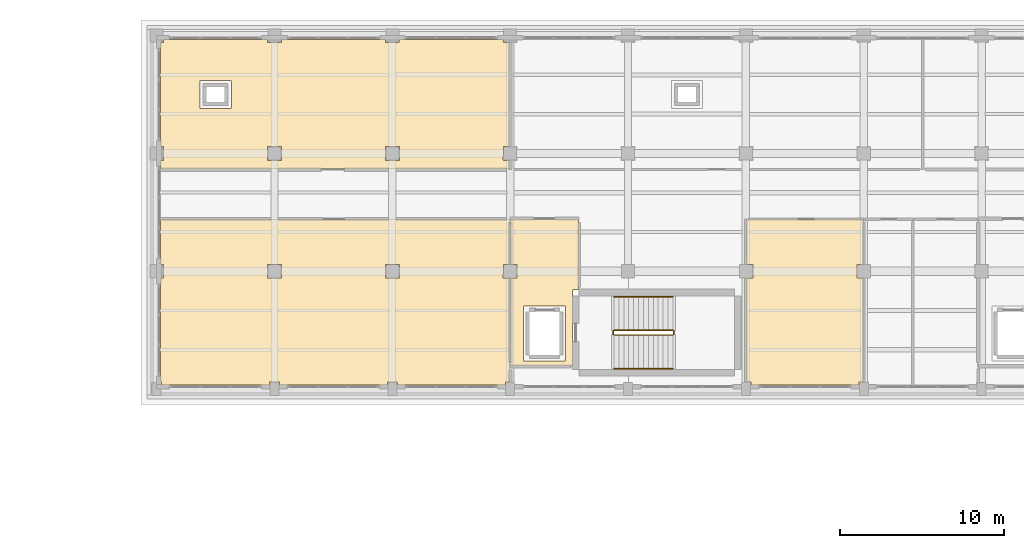
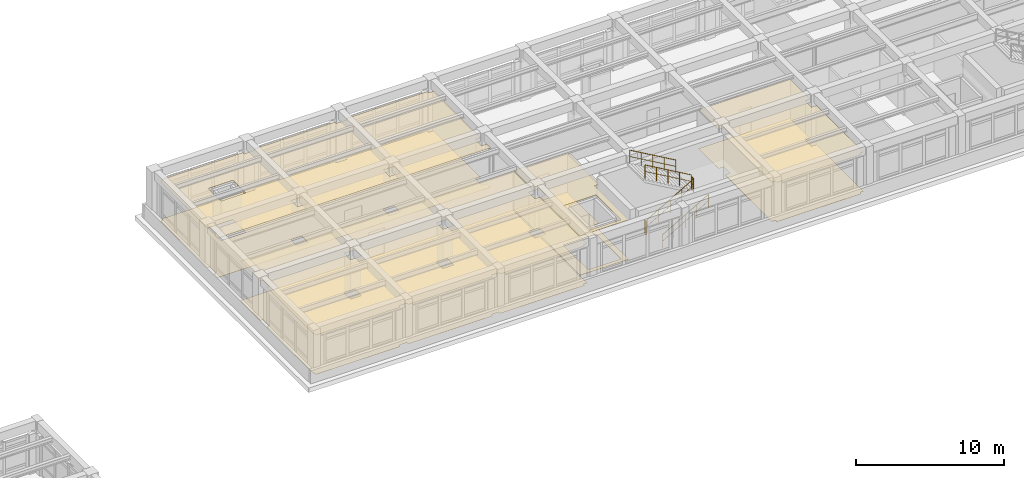
# One storey, part 95 of 98: 8 coverings, 6 railings.
"""IFC4 building model written with IfcOpenShell, lengths in metres."""

import ifcopenshell
import ifcopenshell.guid

model = None  # the IFC model being written
_history = None  # IfcOwnerHistory: only IFC2X3 demands one
_inside = {}  # id of a spatial element -> (the spatial element, [elements in it])
_under = {}  # id of a project, library or spatial element -> (it, [spatial elements below it])
_declared = {}  # id of a project -> (the project, [libraries it declares])
_typed = {}  # id of a type object -> (the type object, [elements of that type])
_made_of = {}  # id of a material, layer set ... -> (it, [elements and type objects made of it])


def new_model(schema):
    """Start an empty IFC model of exactly this schema.

    Asked for "IFC4X3", IfcOpenShell would pick the latest addendum, in which some entities
    have other attributes; the version numbers below select the first issue.
    IFC2X3 requires an IfcOwnerHistory on every rooted entity: one is made here for all.
    """
    global model, _history
    if schema == "IFC4X3":
        model = ifcopenshell.file(schema_version=(4, 3, 0, 0))
    else:
        model = ifcopenshell.file(schema=schema)
    _inside.clear()
    _under.clear()
    _declared.clear()
    _typed.clear()
    _made_of.clear()
    _history = None
    if model.schema == "IFC2X3":
        org = make("IfcOrganization", Name="unknown")
        user = make(
            "IfcPersonAndOrganization",
            ThePerson=make("IfcPerson", FamilyName="unknown"),
            TheOrganization=org,
        )
        app = make(
            "IfcApplication",
            ApplicationDeveloper=org,
            Version="unknown",
            ApplicationFullName="unknown",
            ApplicationIdentifier="unknown",
        )
        _history = make(
            "IfcOwnerHistory",
            OwningUser=user,
            OwningApplication=app,
            ChangeAction="ADDED",
            CreationDate=0,
        )
    return model


def make(cls, **values):
    """One entity of the class cls with the attributes given. An attribute that is None is left unset."""
    return model.create_entity(
        cls, **{name: value for name, value in values.items() if value is not None}
    )


def rooted(cls, **values):
    """An entity with a GlobalId (a new one), such as an element, a storey or a relation."""
    return make(cls, GlobalId=ifcopenshell.guid.new(), OwnerHistory=_history, **values)


def si_unit(unit_type, name, prefix=None):
    """IfcSIUnit, for example si_unit("LENGTHUNIT", "METRE", prefix="MILLI")."""
    return make("IfcSIUnit", UnitType=unit_type, Prefix=prefix, Name=name)


def assignment(units):
    """IfcUnitAssignment: the units of a project."""
    return None if units is None else make("IfcUnitAssignment", Units=units)


def point(xyz):
    """IfcCartesianPoint."""
    return None if xyz is None else make("IfcCartesianPoint", Coordinates=xyz)


def direction(xyz):
    """IfcDirection."""
    return None if xyz is None else make("IfcDirection", DirectionRatios=xyz)


def frame(location, z_axis=None, x_axis=None):
    """IfcAxis2Placement3D, a coordinate frame: its origin and axes. An axis left out is left unset."""
    return make(
        "IfcAxis2Placement3D",
        Location=point(location),
        Axis=direction(z_axis),
        RefDirection=direction(x_axis),
    )


def frame_2d(location, x_axis=None):
    """IfcAxis2Placement2D, a coordinate frame in the plane: its origin and x axis."""
    return make(
        "IfcAxis2Placement2D", Location=point(location), RefDirection=direction(x_axis)
    )


def origin():
    """The frame at (0, 0, 0) with its axes left unset."""
    return frame((0.0, 0.0, 0.0))


def origin_2d():
    """The frame at (0, 0) in the plane with its x axis left unset."""
    return frame_2d((0.0, 0.0))


def place(relative_to, where):
    """IfcLocalPlacement: puts the frame where relative to a parent placement (None: the world)."""
    return make(
        "IfcLocalPlacement", PlacementRelTo=relative_to, RelativePlacement=where
    )


def context(
    kind, dimensions, precision=None, world=None, true_north=None, identifier=None
):
    """IfcGeometricRepresentationContext, for example the 3D "Model" context."""
    return make(
        "IfcGeometricRepresentationContext",
        ContextIdentifier=identifier,
        ContextType=kind,
        CoordinateSpaceDimension=dimensions,
        Precision=precision,
        WorldCoordinateSystem=world,
        TrueNorth=true_north,
    )


def subcontext(parent, identifier, kind, view, scale=None):
    """IfcGeometricRepresentationSubContext, for example "Body" below "Model"."""
    return make(
        "IfcGeometricRepresentationSubContext",
        ContextIdentifier=identifier,
        ContextType=kind,
        ParentContext=parent,
        TargetScale=scale,
        TargetView=view,
    )


def project(units=None, contexts=None):
    """IfcProject with its units and contexts."""
    return rooted(
        "IfcProject",
        Name="project",
        RepresentationContexts=contexts,
        UnitsInContext=assignment(units),
    )


def spatial(cls, under=None, at=None, **own):
    """A site, building, storey or space (cls), placed at a placement, below another one or the project."""
    s = rooted(cls, ObjectPlacement=at, **own)
    if under is not None:
        _under.setdefault(under.id(), (under, []))[1].append(s)
    return s


def polyline(points):
    """IfcPolyline through the points."""
    return make("IfcPolyline", Points=[point(p) for p in points])


def profile(cls, at=None, kind="AREA", **sizes):
    """A parametric profile (cls). Its sizes go by their IFC names, for example OverallWidth=200.0."""
    return make(cls, ProfileType=kind, Position=at, **sizes)


def circle(**sizes):
    """IfcCircleProfileDef."""
    return profile("IfcCircleProfileDef", **sizes)


def outline(outer, holes=None, kind="AREA"):
    """IfcArbitraryClosedProfileDef: a profile drawn as a closed curve; with holes, ...WithVoids."""
    if holes is None:
        return make("IfcArbitraryClosedProfileDef", ProfileType=kind, OuterCurve=outer)
    return make(
        "IfcArbitraryProfileDefWithVoids",
        ProfileType=kind,
        OuterCurve=outer,
        InnerCurves=holes,
    )


def extrude(swept, where, along, depth):
    """IfcExtrudedAreaSolid: the profile swept, set in the frame where, extruded along a direction by depth."""
    return make(
        "IfcExtrudedAreaSolid",
        SweptArea=swept,
        Position=where,
        ExtrudedDirection=direction(along),
        Depth=depth,
    )


def shape(context_of_items, identifier, shape_type, items):
    """IfcShapeRepresentation: the items that make up one representation, for example the "Body"."""
    return make(
        "IfcShapeRepresentation",
        ContextOfItems=context_of_items,
        RepresentationIdentifier=identifier,
        RepresentationType=shape_type,
        Items=items,
    )


def material(Name=None, Category=None):
    """IfcMaterial."""
    return make("IfcMaterial", Name=Name, Category=Category)


def layer(
    of_material, thickness, ventilated=None, Name=None, Category=None, Priority=None
):
    """IfcMaterialLayer: one layer of a wall or slab, of a material (None: an air gap)."""
    return make(
        "IfcMaterialLayer",
        Material=of_material,
        LayerThickness=thickness,
        IsVentilated=ventilated,
        Name=Name,
        Category=Category,
        Priority=Priority,
    )


def layer_set(layers, Name=None):
    """IfcMaterialLayerSet."""
    return make("IfcMaterialLayerSet", MaterialLayers=layers, LayerSetName=Name)


def made_of(thing, what):
    """Note that an element or type object is made of a material, layer set ...; save() writes the relation."""
    if what is not None:
        _made_of.setdefault(what.id(), (what, []))[1].append(thing)
    return thing


def type_object(cls, material=None, **own):
    """A type object (cls), such as IfcWallType, which elements share."""
    return made_of(rooted(cls, **own), material)


def element(
    cls,
    number,
    at=None,
    inside=None,
    cuts=None,
    type_object=None,
    material=None,
    context=None,
    identifier="Body",
    shape_type=None,
    held_by="IfcProductDefinitionShape",
    body=None,
    shapes=None,
    **own,
):
    """One element of the class cls, such as IfcWall. Its Tag is "e" and its number.

    at: its placement. inside: the storey or other place that contains it. cuts: it is an
    opening in that element (IfcRelVoidsElement). A single representation is given by context,
    identifier, shape_type and body (its items); several are given by shapes. held_by: the class
    of the entity that holds the representations. save() writes the other relations.
    """
    e = rooted(cls, Tag="e%d" % number, ObjectPlacement=at, **own)
    if body is not None:
        shapes = [shape(context, identifier, shape_type, body)]
    if shapes is not None:
        e.Representation = make(held_by, Representations=shapes)
    if inside is not None:
        _inside.setdefault(inside.id(), (inside, []))[1].append(e)
    if cuts is not None:
        rooted(
            "IfcRelVoidsElement", RelatingBuildingElement=cuts, RelatedOpeningElement=e
        )
    if type_object is not None:
        _typed.setdefault(type_object.id(), (type_object, []))[1].append(e)
    return made_of(e, material)


def aggregate(whole, parts):
    """IfcRelAggregates: a whole, such as a stair, and the parts it consists of."""
    return rooted("IfcRelAggregates", RelatingObject=whole, RelatedObjects=parts)


def save(model, path):
    """Write the relations noted so far, then the file.

    IfcRelAggregates (storeys below a building ...), IfcRelContainedInSpatialStructure (elements
    in a storey), IfcRelDefinesByType, IfcRelAssociatesMaterial and IfcRelDeclares: one each for
    every whole, place, type object, material and project.
    """
    for whole, parts in _under.values():
        aggregate(whole, parts)
    for where, things in _inside.values():
        rooted(
            "IfcRelContainedInSpatialStructure",
            RelatedElements=things,
            RelatingStructure=where,
        )
    for kind, things in _typed.values():
        rooted("IfcRelDefinesByType", RelatedObjects=things, RelatingType=kind)
    for what, things in _made_of.values():
        rooted("IfcRelAssociatesMaterial", RelatedObjects=things, RelatingMaterial=what)
    for by, libraries in _declared.values():
        rooted("IfcRelDeclares", RelatingContext=by, RelatedDefinitions=libraries)
    model.write(path)


model = new_model("IFC4")

# Units and contexts
model_context = context("Model", 3, precision=1e-05, world=origin(), true_north=direction((0.0, 1.0)))
body_context = subcontext(model_context, "Body", "Model", "MODEL_VIEW")
ifc_project = project(units=[si_unit("LENGTHUNIT", "METRE"), si_unit("AREAUNIT", "SQUARE_METRE"), si_unit("VOLUMEUNIT", "CUBIC_METRE"), si_unit("PLANEANGLEUNIT", "RADIAN"), si_unit("MASSUNIT", "GRAM", prefix="KILO")], contexts=[model_context])

# Site, building, storey
site_placement = place(None, origin())
site = spatial("IfcSite", under=ifc_project, at=site_placement, CompositionType="ELEMENT")
building_placement = place(site_placement, origin())
building = spatial("IfcBuilding", under=site, at=building_placement, Name="Solenvale Faculty of Natural Sciences", CompositionType="ELEMENT")
storey_placement = place(building_placement, frame((0.0, 0.0, 9.0)))
storey = spatial("IfcBuildingStorey", under=building, at=storey_placement, Name="L02", CompositionType="ELEMENT", Elevation=9.0)

# Coverings
ifc_material_1 = material(Name="Acoustic mineral-timber ceiling", Category="wood")
ifc_layer_1 = layer(ifc_material_1, 0.02490234375)
ifc_layer_set_1 = layer_set([ifc_layer_1], Name="Acoustic mineral-timber ceiling")
covering_type_1 = type_object("IfcCoveringType", Name="COV-CEIL-AC25", PredefinedType="CEILING", material=ifc_layer_set_1)
covering_1_placement = place(storey_placement, frame((0.0, 0.0, 3.235107421875)))
element("IfcCovering", 1, at=covering_1_placement, inside=storey, type_object=covering_type_1, Name="L02 Firefighting Lobby C4 Acoustic Ceiling", PredefinedType="CEILING", context=body_context, shape_type="SweptSolid", body=[
    extrude(outline(polyline([(104.97998046875, 99.7099609375), (104.9560546875, 99.680908203125), (104.64794921875, 99.679931640625), (104.6201171875, 99.652099609375), (104.613037109375, 95.031005859375), (104.590087890625, 95.02001953125), (100.8310546875, 95.027099609375), (100.820068359375, 95.050048828125), (100.820068359375, 100.347900390625), (100.846923828125, 100.375), (101.22412109375, 100.381103515625), (101.22509765625, 101.214111328125), (101.214111328125, 101.22509765625), (100.846923828125, 101.22509765625), (100.820068359375, 101.251953125), (100.820068359375, 103.949951171875), (100.8291015625, 103.970947265625), (100.85009765625, 103.97998046875), (104.949951171875, 103.97998046875), (104.970947265625, 103.970947265625), (104.97998046875, 103.949951171875), (104.97998046875, 99.7099609375)]), holes=[polyline([(104.152099609375, 95.320068359375), (104.172119140625, 95.330078125), (104.179931640625, 95.35009765625), (104.174072265625, 98.66796875), (104.14990234375, 98.679931640625), (101.632080078125, 98.674072265625), (101.6201171875, 98.64990234375), (101.6259765625, 95.33203125), (101.64990234375, 95.320068359375), (104.152099609375, 95.320068359375)])]), origin(), (0.0, 0.0, 1.0), 0.02490234375),
])
covering_2_placement = place(storey_placement, frame((0.0, 0.0, 3.235107421875)))
element("IfcCovering", 2, at=covering_2_placement, inside=storey, type_object=covering_type_1, Name="L02 Earth Sciences Teaching Laboratory Acoustic Ceiling", PredefinedType="CEILING", context=body_context, shape_type="SweptSolid", body=[
    extrude(outline(polyline([(100.72998046875, 103.9599609375), (100.7509765625, 103.950927734375), (100.760009765625, 103.929931640625), (100.760009765625, 101.251953125), (100.73291015625, 101.22509765625), (100.3759765625, 101.218994140625), (100.375, 100.385986328125), (100.385986328125, 100.375), (100.73291015625, 100.375), (100.760009765625, 100.347900390625), (100.760009765625, 95.0), (100.780029296875, 94.950927734375), (100.780029296875, 94.054931640625), (100.7529296875, 94.02490234375), (100.50390625, 94.02294921875), (100.5, 93.866943359375), (100.48388671875, 93.843994140625), (93.929931640625, 93.840087890625), (93.90087890625, 93.864013671875), (93.89990234375, 94.01611328125), (93.888916015625, 94.02490234375), (93.306884765625, 94.02490234375), (93.299072265625, 93.864013671875), (93.27001953125, 93.840087890625), (86.72998046875, 93.840087890625), (86.700927734375, 93.864013671875), (86.699951171875, 94.01611328125), (86.68896484375, 94.02490234375), (86.10693359375, 94.02490234375), (86.09912109375, 93.864013671875), (86.070068359375, 93.840087890625), (79.530029296875, 93.840087890625), (79.50390625, 93.85595703125), (79.5, 94.01806640625), (79.452880859375, 94.030029296875), (79.43994140625, 94.054931640625), (79.43994140625, 100.344970703125), (79.464111328125, 100.3740234375), (79.625, 100.383056640625), (79.625, 101.214111328125), (79.615966796875, 101.22509765625), (79.464111328125, 101.22607421875), (79.43994140625, 101.251953125), (79.43994140625, 103.929931640625), (79.4560546875, 103.9560546875), (100.72998046875, 103.9599609375)]), holes=[polyline([(93.18603515625, 101.22509765625), (93.175048828125, 101.214111328125), (93.177978515625, 100.3779296875), (94.02197265625, 100.3779296875), (94.02197265625, 101.221923828125), (93.18603515625, 101.22509765625)]), polyline([(85.986083984375, 101.22509765625), (85.97509765625, 101.214111328125), (85.97802734375, 100.3779296875), (86.822021484375, 100.3779296875), (86.822021484375, 101.221923828125), (85.986083984375, 101.22509765625)])]), origin(), (0.0, 0.0, 1.0), 0.02490234375),
])
covering_3_placement = place(storey_placement, frame((0.0, 0.0, 3.235107421875)))
element("IfcCovering", 3, at=covering_3_placement, inside=storey, type_object=covering_type_1, Name="L02 Environmental Genomics Laboratory Acoustic Ceiling", PredefinedType="CEILING", context=body_context, shape_type="SweptSolid", body=[
    extrude(outline(polyline([(85.945068359375, 114.9599609375), (85.97412109375, 114.93603515625), (85.97509765625, 114.783935546875), (85.986083984375, 114.77490234375), (86.81689453125, 114.77490234375), (86.825927734375, 114.93603515625), (86.85498046875, 114.9599609375), (93.14501953125, 114.9599609375), (93.174072265625, 114.93603515625), (93.175048828125, 114.783935546875), (93.18603515625, 114.77490234375), (94.01708984375, 114.77490234375), (94.02587890625, 114.93603515625), (94.054931640625, 114.9599609375), (100.344970703125, 114.9599609375), (100.3740234375, 114.93603515625), (100.381103515625, 114.77587890625), (100.763916015625, 114.77099609375), (100.780029296875, 114.7451171875), (100.780029296875, 108.451904296875), (100.7529296875, 108.425048828125), (100.3759765625, 108.4189453125), (100.375, 107.5859375), (100.384033203125, 107.574951171875), (100.75, 107.574951171875), (100.77294921875, 107.56396484375), (100.77587890625, 107.055908203125), (100.75, 107.0400390625), (79.450927734375, 107.047119140625), (79.43994140625, 107.070068359375), (79.44091796875, 107.553955078125), (79.464111328125, 107.573974609375), (79.615966796875, 107.574951171875), (79.625, 107.583984375), (79.625, 108.4140625), (79.615966796875, 108.425048828125), (79.464111328125, 108.426025390625), (79.43994140625, 108.455078125), (79.447021484375, 114.763916015625), (79.467041015625, 114.77490234375), (79.6220703125, 114.778076171875), (79.6259765625, 114.93603515625), (79.655029296875, 114.9599609375), (85.945068359375, 114.9599609375)]), holes=[polyline([(93.18603515625, 108.425048828125), (93.175048828125, 108.4140625), (93.177978515625, 107.577880859375), (94.02197265625, 107.577880859375), (94.02197265625, 108.422119140625), (93.18603515625, 108.425048828125)]), polyline([(85.986083984375, 108.425048828125), (85.97509765625, 108.4140625), (85.97802734375, 107.577880859375), (86.822021484375, 107.577880859375), (86.822021484375, 108.422119140625), (85.986083984375, 108.425048828125)]), polyline([(83.760009765625, 112.431884765625), (83.75, 112.451904296875), (83.72998046875, 112.4599609375), (81.85009765625, 112.451904296875), (81.840087890625, 112.429931640625), (81.847900390625, 110.75), (81.8701171875, 110.739990234375), (83.75, 110.748046875), (83.760009765625, 110.77001953125), (83.760009765625, 112.431884765625)])]), origin(), (0.0, 0.0, 1.0), 0.02490234375),
])
covering_4_placement = place(storey_placement, frame((0.0, 0.0, 3.235107421875)))
element("IfcCovering", 4, at=covering_4_placement, inside=storey, type_object=covering_type_1, Name="L02 Public Washroom Acoustic Ceiling", PredefinedType="CEILING", context=body_context, shape_type="SweptSolid", body=[
    extrude(outline(polyline([(122.35009765625, 103.9599609375), (122.37109375, 103.950927734375), (122.3798828125, 103.929931640625), (122.3798828125, 101.251953125), (122.35302734375, 101.22509765625), (121.97607421875, 101.218994140625), (121.97509765625, 100.385986328125), (121.986083984375, 100.375), (122.35302734375, 100.375), (122.3798828125, 100.347900390625), (122.375, 94.0380859375), (122.35302734375, 94.02490234375), (122.10400390625, 94.02294921875), (122.09912109375, 93.864013671875), (122.070068359375, 93.840087890625), (115.530029296875, 93.840087890625), (115.5009765625, 93.864013671875), (115.49609375, 94.02294921875), (115.23291015625, 94.030029296875), (115.219970703125, 94.054931640625), (115.219970703125, 100.347900390625), (115.2470703125, 100.375), (115.6240234375, 100.381103515625), (115.625, 101.214111328125), (115.614013671875, 101.22509765625), (115.2470703125, 101.22509765625), (115.219970703125, 101.251953125), (115.22509765625, 103.947021484375), (115.25, 103.9599609375), (122.35009765625, 103.9599609375)])), origin(), (0.0, 0.0, 1.0), 0.02490234375),
])
ifc_material_2 = material(Name="Polished slate terrazzo flooring", Category="masonry")
ifc_layer_2 = layer(ifc_material_2, 0.01806640625)
ifc_layer_set_2 = layer_set([ifc_layer_2], Name="Polished slate terrazzo flooring")
covering_type_2 = type_object("IfcCoveringType", Name="COV-FLR-TRZ18", PredefinedType="FLOORING", material=ifc_layer_set_2)
covering_5_placement = place(storey_placement, origin())
element("IfcCovering", 5, at=covering_5_placement, inside=storey, type_object=covering_type_2, Name="L02 Firefighting Lobby C4 Floor Finish", PredefinedType="FLOORING", context=body_context, shape_type="SweptSolid", body=[
    extrude(outline(polyline([(104.97998046875, 99.7099609375), (104.9560546875, 99.680908203125), (104.64794921875, 99.679931640625), (104.6201171875, 99.652099609375), (104.613037109375, 95.031005859375), (104.590087890625, 95.02001953125), (100.8310546875, 95.027099609375), (100.820068359375, 95.050048828125), (100.820068359375, 100.347900390625), (100.846923828125, 100.375), (101.22412109375, 100.381103515625), (101.22509765625, 101.214111328125), (101.214111328125, 101.22509765625), (100.846923828125, 101.22509765625), (100.820068359375, 101.251953125), (100.820068359375, 103.949951171875), (100.8291015625, 103.970947265625), (100.85009765625, 103.97998046875), (104.949951171875, 103.97998046875), (104.970947265625, 103.970947265625), (104.97998046875, 103.949951171875), (104.97998046875, 99.7099609375)]), holes=[polyline([(104.152099609375, 95.320068359375), (104.172119140625, 95.330078125), (104.179931640625, 95.35009765625), (104.174072265625, 98.66796875), (104.14990234375, 98.679931640625), (101.632080078125, 98.674072265625), (101.6201171875, 98.64990234375), (101.6259765625, 95.33203125), (101.64990234375, 95.320068359375), (104.152099609375, 95.320068359375)])]), origin(), (0.0, 0.0, 1.0), 0.01806640625),
])
covering_6_placement = place(storey_placement, origin())
element("IfcCovering", 6, at=covering_6_placement, inside=storey, type_object=covering_type_2, Name="L02 Public Washroom Floor Finish", PredefinedType="FLOORING", context=body_context, shape_type="SweptSolid", body=[
    extrude(outline(polyline([(122.35009765625, 103.9599609375), (122.37109375, 103.950927734375), (122.3798828125, 103.929931640625), (122.3798828125, 101.251953125), (122.35302734375, 101.22509765625), (121.97607421875, 101.218994140625), (121.97509765625, 100.385986328125), (121.986083984375, 100.375), (122.35302734375, 100.375), (122.3798828125, 100.347900390625), (122.375, 94.0380859375), (122.35302734375, 94.02490234375), (122.10400390625, 94.02294921875), (122.09912109375, 93.864013671875), (122.070068359375, 93.840087890625), (115.530029296875, 93.840087890625), (115.5009765625, 93.864013671875), (115.49609375, 94.02294921875), (115.23291015625, 94.030029296875), (115.219970703125, 94.054931640625), (115.219970703125, 100.347900390625), (115.2470703125, 100.375), (115.6240234375, 100.381103515625), (115.625, 101.214111328125), (115.614013671875, 101.22509765625), (115.2470703125, 101.22509765625), (115.219970703125, 101.251953125), (115.22509765625, 103.947021484375), (115.25, 103.9599609375), (122.35009765625, 103.9599609375)])), origin(), (0.0, 0.0, 1.0), 0.01806640625),
])
ifc_material_3 = material(Name="Seamless laboratory vinyl flooring")
ifc_layer_3 = layer(ifc_material_3, 0.008056640625)
ifc_layer_set_3 = layer_set([ifc_layer_3], Name="Seamless laboratory vinyl flooring")
covering_type_3 = type_object("IfcCoveringType", Name="COV-FLR-VNL08", PredefinedType="FLOORING", material=ifc_layer_set_3)
covering_7_placement = place(storey_placement, origin())
element("IfcCovering", 7, at=covering_7_placement, inside=storey, type_object=covering_type_3, Name="L02 Earth Sciences Teaching Laboratory Floor Finish", PredefinedType="FLOORING", context=body_context, shape_type="SweptSolid", body=[
    extrude(outline(polyline([(100.72998046875, 103.9599609375), (100.7509765625, 103.950927734375), (100.760009765625, 103.929931640625), (100.760009765625, 101.251953125), (100.73291015625, 101.22509765625), (100.3759765625, 101.218994140625), (100.375, 100.385986328125), (100.385986328125, 100.375), (100.73291015625, 100.375), (100.760009765625, 100.347900390625), (100.760009765625, 95.0), (100.780029296875, 94.950927734375), (100.780029296875, 94.054931640625), (100.7529296875, 94.02490234375), (100.50390625, 94.02294921875), (100.5, 93.866943359375), (100.48388671875, 93.843994140625), (93.929931640625, 93.840087890625), (93.90087890625, 93.864013671875), (93.89990234375, 94.01611328125), (93.888916015625, 94.02490234375), (93.306884765625, 94.02490234375), (93.299072265625, 93.864013671875), (93.27001953125, 93.840087890625), (86.72998046875, 93.840087890625), (86.700927734375, 93.864013671875), (86.699951171875, 94.01611328125), (86.68896484375, 94.02490234375), (86.10693359375, 94.02490234375), (86.09912109375, 93.864013671875), (86.070068359375, 93.840087890625), (79.530029296875, 93.840087890625), (79.50390625, 93.85595703125), (79.5, 94.01806640625), (79.452880859375, 94.030029296875), (79.43994140625, 94.054931640625), (79.43994140625, 100.344970703125), (79.464111328125, 100.3740234375), (79.625, 100.383056640625), (79.625, 101.214111328125), (79.615966796875, 101.22509765625), (79.464111328125, 101.22607421875), (79.43994140625, 101.251953125), (79.43994140625, 103.929931640625), (79.4560546875, 103.9560546875), (100.72998046875, 103.9599609375)]), holes=[polyline([(93.18603515625, 101.22509765625), (93.175048828125, 101.214111328125), (93.177978515625, 100.3779296875), (94.02197265625, 100.3779296875), (94.02197265625, 101.221923828125), (93.18603515625, 101.22509765625)]), polyline([(85.986083984375, 101.22509765625), (85.97509765625, 101.214111328125), (85.97802734375, 100.3779296875), (86.822021484375, 100.3779296875), (86.822021484375, 101.221923828125), (85.986083984375, 101.22509765625)])]), origin(), (0.0, 0.0, 1.0), 0.008056640625),
])
covering_8_placement = place(storey_placement, origin())
element("IfcCovering", 8, at=covering_8_placement, inside=storey, type_object=covering_type_3, Name="L02 Environmental Genomics Laboratory Floor Finish", PredefinedType="FLOORING", context=body_context, shape_type="SweptSolid", body=[
    extrude(outline(polyline([(85.945068359375, 114.9599609375), (85.97412109375, 114.93603515625), (85.97509765625, 114.783935546875), (85.986083984375, 114.77490234375), (86.81689453125, 114.77490234375), (86.825927734375, 114.93603515625), (86.85498046875, 114.9599609375), (93.14501953125, 114.9599609375), (93.174072265625, 114.93603515625), (93.175048828125, 114.783935546875), (93.18603515625, 114.77490234375), (94.01708984375, 114.77490234375), (94.02587890625, 114.93603515625), (94.054931640625, 114.9599609375), (100.344970703125, 114.9599609375), (100.3740234375, 114.93603515625), (100.381103515625, 114.77587890625), (100.763916015625, 114.77099609375), (100.780029296875, 114.7451171875), (100.780029296875, 108.451904296875), (100.7529296875, 108.425048828125), (100.3759765625, 108.4189453125), (100.375, 107.5859375), (100.384033203125, 107.574951171875), (100.75, 107.574951171875), (100.77294921875, 107.56396484375), (100.77587890625, 107.055908203125), (100.75, 107.0400390625), (79.450927734375, 107.047119140625), (79.43994140625, 107.070068359375), (79.44091796875, 107.553955078125), (79.464111328125, 107.573974609375), (79.615966796875, 107.574951171875), (79.625, 107.583984375), (79.625, 108.4140625), (79.615966796875, 108.425048828125), (79.464111328125, 108.426025390625), (79.43994140625, 108.455078125), (79.447021484375, 114.763916015625), (79.467041015625, 114.77490234375), (79.6220703125, 114.778076171875), (79.6259765625, 114.93603515625), (79.655029296875, 114.9599609375), (85.945068359375, 114.9599609375)]), holes=[polyline([(93.18603515625, 108.425048828125), (93.175048828125, 108.4140625), (93.177978515625, 107.577880859375), (94.02197265625, 107.577880859375), (94.02197265625, 108.422119140625), (93.18603515625, 108.425048828125)]), polyline([(85.986083984375, 108.425048828125), (85.97509765625, 108.4140625), (85.97802734375, 107.577880859375), (86.822021484375, 107.577880859375), (86.822021484375, 108.422119140625), (85.986083984375, 108.425048828125)]), polyline([(83.760009765625, 112.431884765625), (83.75, 112.451904296875), (83.72998046875, 112.4599609375), (81.85009765625, 112.451904296875), (81.840087890625, 112.429931640625), (81.847900390625, 110.75), (81.8701171875, 110.739990234375), (83.75, 110.748046875), (83.760009765625, 110.77001953125), (83.760009765625, 112.431884765625)])]), origin(), (0.0, 0.0, 1.0), 0.008056640625),
])

# Railings
ifc_material_4 = material(Name="Stainless steel Grade 304", Category="steel")
railing_type_1 = type_object("IfcRailingType", Name="RL-GRD-1100", PredefinedType="GUARDRAIL", material=ifc_material_4)
railing_1_placement = place(storey_placement, frame((107.139892578125, 96.89990234375, 0.173095703125)))
element("IfcRailing", 9, at=railing_1_placement, inside=storey, type_object=railing_type_1, Name="L02 ST-04 stair guard 1", PredefinedType="GUARDRAIL", context=body_context, shape_type="SweptSolid", body=[
    extrude(circle(Radius=0.02392578125, at=origin_2d()), frame((0.0, 0.0, 1.09619140625), z_axis=(0.866193409371, 0.0, 0.499708892819), x_axis=(0.0, 1.0, 0.0)), (0.0, 0.0, 1.0), 4.15625),
    extrude(circle(Radius=0.01611328125, at=origin_2d()), frame((0.0, 0.0, 0.56005859375), z_axis=(0.866193409371, 0.0, 0.499708892819), x_axis=(0.0, 1.0, 0.0)), (0.0, 0.0, 1.0), 4.15625),
    extrude(circle(Radius=0.02099609375, at=origin_2d()), origin(), (0.0, 0.0, 1.0), 1.072021484375),
    extrude(circle(Radius=0.02099609375, at=origin_2d()), frame((0.89990234375, 0.0, 0.519287109375)), (0.0, 0.0, 1.0), 1.072021484375),
    extrude(circle(Radius=0.02099609375, at=origin_2d()), frame((1.800048828125, 0.0, 1.03857421875)), (0.0, 0.0, 1.0), 1.072021484375),
    extrude(circle(Radius=0.02099609375, at=origin_2d()), frame((2.7001953125, 0.0, 1.5576171875)), (0.0, 0.0, 1.0), 1.072021484375),
    extrude(circle(Radius=0.02099609375, at=origin_2d()), frame((3.60009765625, 0.0, 2.076904296875)), (0.0, 0.0, 1.0), 1.072021484375),
])
railing_2_placement = place(storey_placement, frame((110.7900390625, 96.949951171875, 2.25)))
element("IfcRailing", 10, at=railing_2_placement, inside=storey, type_object=railing_type_1, Name="L02 ST-04 stair guard 2", PredefinedType="GUARDRAIL", context=body_context, shape_type="SweptSolid", body=[
    extrude(circle(Radius=0.02392578125, at=origin_2d()), frame((0.0, 0.0, 1.09619140625), z_axis=(0.0, 1.0, 0.0), x_axis=(-1.0, 0.0, 0.0)), (0.0, 0.0, 1.0), 0.199951171875),
    extrude(circle(Radius=0.01611328125, at=origin_2d()), frame((0.0, 0.0, 0.56005859375), z_axis=(0.0, 1.0, 0.0), x_axis=(-1.0, 0.0, 0.0)), (0.0, 0.0, 1.0), 0.199951171875),
    extrude(circle(Radius=0.02099609375, at=origin_2d()), origin(), (0.0, 0.0, 1.0), 1.072021484375),
    extrude(circle(Radius=0.02099609375, at=origin_2d()), frame((0.0, 0.199951171875, 0.0)), (0.0, 0.0, 1.0), 1.072021484375),
])
railing_3_placement = place(storey_placement, frame((110.739990234375, 97.199951171875, 2.423095703125)))
element("IfcRailing", 11, at=railing_3_placement, inside=storey, type_object=railing_type_1, Name="L02 ST-04 stair guard 3", PredefinedType="GUARDRAIL", context=body_context, shape_type="SweptSolid", body=[
    extrude(circle(Radius=0.02392578125, at=origin_2d()), frame((0.0, 0.0, 1.09619140625), z_axis=(-0.866193409371, 0.0, 0.499708892819), x_axis=(0.0, -1.0, 0.0)), (0.0, 0.0, 1.0), 4.15625),
    extrude(circle(Radius=0.01611328125, at=origin_2d()), frame((0.0, 0.0, 0.56005859375), z_axis=(-0.866193409371, 0.0, 0.499708892819), x_axis=(0.0, -1.0, 0.0)), (0.0, 0.0, 1.0), 4.15625),
    extrude(circle(Radius=0.02099609375, at=origin_2d()), origin(), (0.0, 0.0, 1.0), 1.072021484375),
    extrude(circle(Radius=0.02099609375, at=origin_2d()), frame((-0.89990234375, 0.0, 0.519287109375)), (0.0, 0.0, 1.0), 1.072021484375),
    extrude(circle(Radius=0.02099609375, at=origin_2d()), frame((-1.800048828125, 0.0, 1.03857421875)), (0.0, 0.0, 1.0), 1.072021484375),
    extrude(circle(Radius=0.02099609375, at=origin_2d()), frame((-2.7001953125, 0.0, 1.5576171875)), (0.0, 0.0, 1.0), 1.072021484375),
    extrude(circle(Radius=0.02099609375, at=origin_2d()), frame((-3.60009765625, 0.0, 2.076904296875)), (0.0, 0.0, 1.0), 1.072021484375),
])
railing_4_placement = place(storey_placement, frame((107.090087890625, 96.949951171875, 0.0)))
element("IfcRailing", 12, at=railing_4_placement, inside=storey, type_object=railing_type_1, Name="L02 ST-04 stair guard 4", PredefinedType="GUARDRAIL", context=body_context, shape_type="SweptSolid", body=[
    extrude(circle(Radius=0.02392578125, at=origin_2d()), frame((0.0, 0.0, 1.09619140625), z_axis=(0.0, 1.0, 0.0), x_axis=(-1.0, 0.0, 0.0)), (0.0, 0.0, 1.0), 0.199951171875),
    extrude(circle(Radius=0.01611328125, at=origin_2d()), frame((0.0, 0.0, 0.56005859375), z_axis=(0.0, 1.0, 0.0), x_axis=(-1.0, 0.0, 0.0)), (0.0, 0.0, 1.0), 0.199951171875),
    extrude(circle(Radius=0.02099609375, at=origin_2d()), origin(), (0.0, 0.0, 1.0), 1.072021484375),
    extrude(circle(Radius=0.02099609375, at=origin_2d()), frame((0.0, 0.199951171875, 0.0)), (0.0, 0.0, 1.0), 1.072021484375),
])
railing_type_2 = type_object("IfcRailingType", Name="RL-HND-900", PredefinedType="HANDRAIL", material=ifc_material_4)
railing_5_placement = place(storey_placement, frame((107.139892578125, 94.85009765625, 0.173095703125)))
element("IfcRailing", 13, at=railing_5_placement, inside=storey, type_object=railing_type_2, Name="L02 ST-04 stair handrail 1", PredefinedType="HANDRAIL", context=body_context, shape_type="SweptSolid", body=[
    extrude(circle(Radius=0.02392578125, at=origin_2d()), frame((0.0, 0.0, 1.0732421875), z_axis=(0.866193409371, 0.0, 0.499708892819), x_axis=(0.0, 1.0, 0.0)), (0.0, 0.0, 1.0), 4.15625),
    extrude(circle(Radius=0.01611328125, at=origin_2d()), frame((0.0, 0.0, 0.548583984375), z_axis=(0.866193409371, 0.0, 0.499708892819), x_axis=(0.0, 1.0, 0.0)), (0.0, 0.0, 1.0), 4.15625),
    extrude(circle(Radius=0.02099609375, at=origin_2d()), origin(), (0.0, 0.0, 1.0), 1.049072265625),
    extrude(circle(Radius=0.02099609375, at=origin_2d()), frame((0.89990234375, 0.0, 0.519287109375)), (0.0, 0.0, 1.0), 1.049072265625),
    extrude(circle(Radius=0.02099609375, at=origin_2d()), frame((1.800048828125, 0.0, 1.03857421875)), (0.0, 0.0, 1.0), 1.049072265625),
    extrude(circle(Radius=0.02099609375, at=origin_2d()), frame((2.7001953125, 0.0, 1.5576171875)), (0.0, 0.0, 1.0), 1.049072265625),
    extrude(circle(Radius=0.02099609375, at=origin_2d()), frame((3.60009765625, 0.0, 2.076904296875)), (0.0, 0.0, 1.0), 1.049072265625),
])
railing_6_placement = place(storey_placement, frame((110.739990234375, 99.25, 2.423095703125)))
element("IfcRailing", 14, at=railing_6_placement, inside=storey, type_object=railing_type_2, Name="L02 ST-04 stair handrail 2", PredefinedType="HANDRAIL", context=body_context, shape_type="SweptSolid", body=[
    extrude(circle(Radius=0.02392578125, at=origin_2d()), frame((0.0, 0.0, 1.0732421875), z_axis=(-0.866193409371, 0.0, 0.499708892819), x_axis=(0.0, -1.0, 0.0)), (0.0, 0.0, 1.0), 4.15625),
    extrude(circle(Radius=0.01611328125, at=origin_2d()), frame((0.0, 0.0, 0.548583984375), z_axis=(-0.866193409371, 0.0, 0.499708892819), x_axis=(0.0, -1.0, 0.0)), (0.0, 0.0, 1.0), 4.15625),
    extrude(circle(Radius=0.02099609375, at=origin_2d()), origin(), (0.0, 0.0, 1.0), 1.049072265625),
    extrude(circle(Radius=0.02099609375, at=origin_2d()), frame((-0.89990234375, 0.0, 0.519287109375)), (0.0, 0.0, 1.0), 1.049072265625),
    extrude(circle(Radius=0.02099609375, at=origin_2d()), frame((-1.800048828125, 0.0, 1.03857421875)), (0.0, 0.0, 1.0), 1.049072265625),
    extrude(circle(Radius=0.02099609375, at=origin_2d()), frame((-2.7001953125, 0.0, 1.5576171875)), (0.0, 0.0, 1.0), 1.049072265625),
    extrude(circle(Radius=0.02099609375, at=origin_2d()), frame((-3.60009765625, 0.0, 2.076904296875)), (0.0, 0.0, 1.0), 1.049072265625),
])

save(model, "model.ifc")
